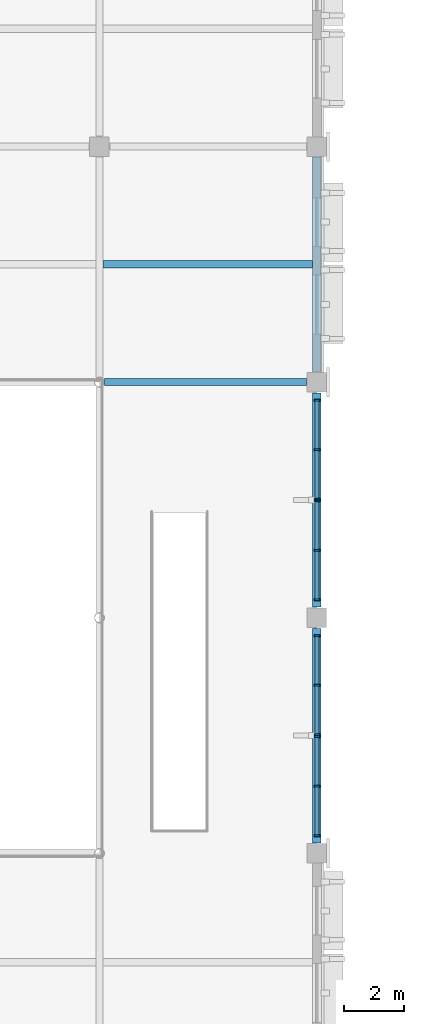
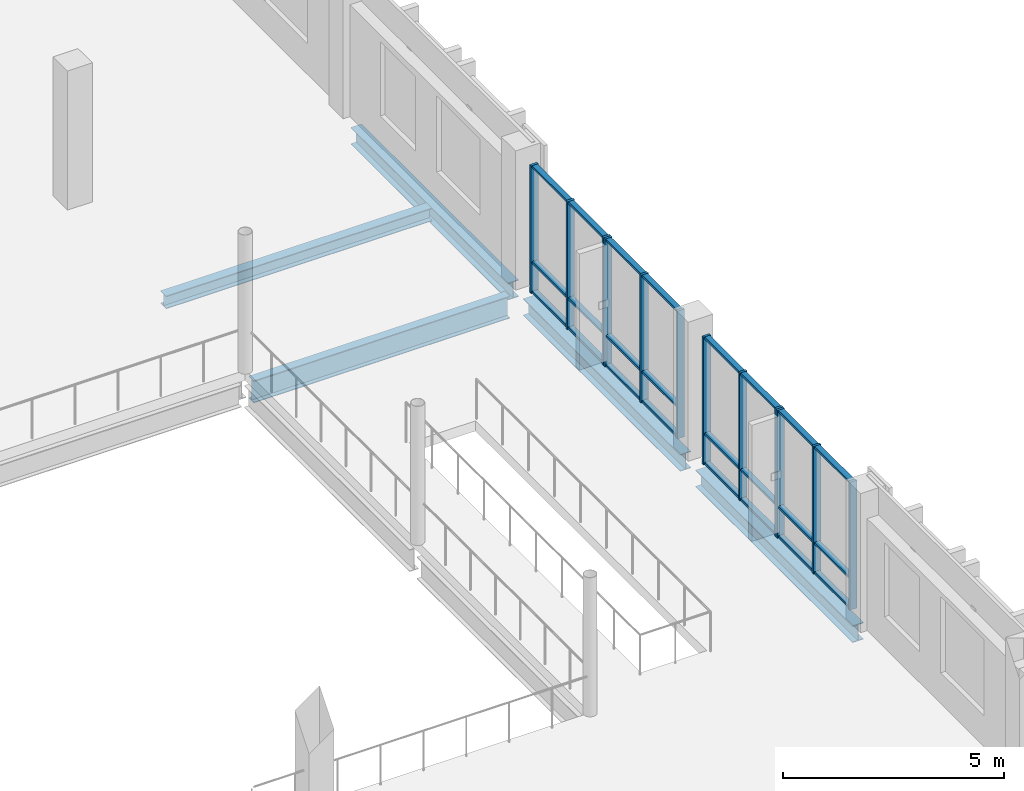
# One storey, part 17 of 85: 36 members, 5 beams, 4 elements without a shape of their own.
"""IFC4 building model written with IfcOpenShell, lengths in metres."""

import ifcopenshell
import ifcopenshell.guid

model = None  # the IFC model being written
_history = None  # IfcOwnerHistory: only IFC2X3 demands one
_inside = {}  # id of a spatial element -> (the spatial element, [elements in it])
_under = {}  # id of a project, library or spatial element -> (it, [spatial elements below it])
_declared = {}  # id of a project -> (the project, [libraries it declares])
_typed = {}  # id of a type object -> (the type object, [elements of that type])
_made_of = {}  # id of a material, layer set ... -> (it, [elements and type objects made of it])


def new_model(schema):
    """Start an empty IFC model of exactly this schema.

    Asked for "IFC4X3", IfcOpenShell would pick the latest addendum, in which some entities
    have other attributes; the version numbers below select the first issue.
    IFC2X3 requires an IfcOwnerHistory on every rooted entity: one is made here for all.
    """
    global model, _history
    if schema == "IFC4X3":
        model = ifcopenshell.file(schema_version=(4, 3, 0, 0))
    else:
        model = ifcopenshell.file(schema=schema)
    _inside.clear()
    _under.clear()
    _declared.clear()
    _typed.clear()
    _made_of.clear()
    _history = None
    if model.schema == "IFC2X3":
        org = make("IfcOrganization", Name="unknown")
        user = make(
            "IfcPersonAndOrganization",
            ThePerson=make("IfcPerson", FamilyName="unknown"),
            TheOrganization=org,
        )
        app = make(
            "IfcApplication",
            ApplicationDeveloper=org,
            Version="unknown",
            ApplicationFullName="unknown",
            ApplicationIdentifier="unknown",
        )
        _history = make(
            "IfcOwnerHistory",
            OwningUser=user,
            OwningApplication=app,
            ChangeAction="ADDED",
            CreationDate=0,
        )
    return model


def make(cls, **values):
    """One entity of the class cls with the attributes given. An attribute that is None is left unset."""
    return model.create_entity(
        cls, **{name: value for name, value in values.items() if value is not None}
    )


def rooted(cls, **values):
    """An entity with a GlobalId (a new one), such as an element, a storey or a relation."""
    return make(cls, GlobalId=ifcopenshell.guid.new(), OwnerHistory=_history, **values)


def si_unit(unit_type, name, prefix=None):
    """IfcSIUnit, for example si_unit("LENGTHUNIT", "METRE", prefix="MILLI")."""
    return make("IfcSIUnit", UnitType=unit_type, Prefix=prefix, Name=name)


def assignment(units):
    """IfcUnitAssignment: the units of a project."""
    return None if units is None else make("IfcUnitAssignment", Units=units)


def point(xyz):
    """IfcCartesianPoint."""
    return None if xyz is None else make("IfcCartesianPoint", Coordinates=xyz)


def direction(xyz):
    """IfcDirection."""
    return None if xyz is None else make("IfcDirection", DirectionRatios=xyz)


def frame(location, z_axis=None, x_axis=None):
    """IfcAxis2Placement3D, a coordinate frame: its origin and axes. An axis left out is left unset."""
    return make(
        "IfcAxis2Placement3D",
        Location=point(location),
        Axis=direction(z_axis),
        RefDirection=direction(x_axis),
    )


def frame_2d(location, x_axis=None):
    """IfcAxis2Placement2D, a coordinate frame in the plane: its origin and x axis."""
    return make(
        "IfcAxis2Placement2D", Location=point(location), RefDirection=direction(x_axis)
    )


def origin():
    """The frame at (0, 0, 0) with its axes left unset."""
    return frame((0.0, 0.0, 0.0))


def origin_2d():
    """The frame at (0, 0) in the plane with its x axis left unset."""
    return frame_2d((0.0, 0.0))


def place(relative_to, where):
    """IfcLocalPlacement: puts the frame where relative to a parent placement (None: the world)."""
    return make(
        "IfcLocalPlacement", PlacementRelTo=relative_to, RelativePlacement=where
    )


def context(
    kind, dimensions, precision=None, world=None, true_north=None, identifier=None
):
    """IfcGeometricRepresentationContext, for example the 3D "Model" context."""
    return make(
        "IfcGeometricRepresentationContext",
        ContextIdentifier=identifier,
        ContextType=kind,
        CoordinateSpaceDimension=dimensions,
        Precision=precision,
        WorldCoordinateSystem=world,
        TrueNorth=true_north,
    )


def subcontext(parent, identifier, kind, view, scale=None):
    """IfcGeometricRepresentationSubContext, for example "Body" below "Model"."""
    return make(
        "IfcGeometricRepresentationSubContext",
        ContextIdentifier=identifier,
        ContextType=kind,
        ParentContext=parent,
        TargetScale=scale,
        TargetView=view,
    )


def project(units=None, contexts=None):
    """IfcProject with its units and contexts."""
    return rooted(
        "IfcProject",
        Name="project",
        RepresentationContexts=contexts,
        UnitsInContext=assignment(units),
    )


def spatial(cls, under=None, at=None, **own):
    """A site, building, storey or space (cls), placed at a placement, below another one or the project."""
    s = rooted(cls, ObjectPlacement=at, **own)
    if under is not None:
        _under.setdefault(under.id(), (under, []))[1].append(s)
    return s


def profile(cls, at=None, kind="AREA", **sizes):
    """A parametric profile (cls). Its sizes go by their IFC names, for example OverallWidth=200.0."""
    return make(cls, ProfileType=kind, Position=at, **sizes)


def rectangle(**sizes):
    """IfcRectangleProfileDef."""
    return profile("IfcRectangleProfileDef", **sizes)


def i_section(**sizes):
    """IfcIShapeProfileDef."""
    return profile("IfcIShapeProfileDef", **sizes)


def extrude(swept, where, along, depth):
    """IfcExtrudedAreaSolid: the profile swept, set in the frame where, extruded along a direction by depth."""
    return make(
        "IfcExtrudedAreaSolid",
        SweptArea=swept,
        Position=where,
        ExtrudedDirection=direction(along),
        Depth=depth,
    )


def shape(context_of_items, identifier, shape_type, items):
    """IfcShapeRepresentation: the items that make up one representation, for example the "Body"."""
    return make(
        "IfcShapeRepresentation",
        ContextOfItems=context_of_items,
        RepresentationIdentifier=identifier,
        RepresentationType=shape_type,
        Items=items,
    )


def material(Name=None, Category=None):
    """IfcMaterial."""
    return make("IfcMaterial", Name=Name, Category=Category)


def material_profile(
    of_material, cross_section, Name=None, Category=None, Priority=None
):
    """IfcMaterialProfile: a cross section and its material."""
    return make(
        "IfcMaterialProfile",
        Name=Name,
        Material=of_material,
        Profile=cross_section,
        Priority=Priority,
        Category=Category,
    )


def profile_set(profiles, Name=None, composite=None):
    """IfcMaterialProfileSet."""
    return make(
        "IfcMaterialProfileSet",
        Name=Name,
        MaterialProfiles=profiles,
        CompositeProfile=composite,
    )


def made_of(thing, what):
    """Note that an element or type object is made of a material, layer set ...; save() writes the relation."""
    if what is not None:
        _made_of.setdefault(what.id(), (what, []))[1].append(thing)
    return thing


def type_object(cls, material=None, **own):
    """A type object (cls), such as IfcWallType, which elements share."""
    return made_of(rooted(cls, **own), material)


def element(
    cls,
    number,
    at=None,
    inside=None,
    cuts=None,
    type_object=None,
    material=None,
    context=None,
    identifier="Body",
    shape_type=None,
    held_by="IfcProductDefinitionShape",
    body=None,
    shapes=None,
    **own,
):
    """One element of the class cls, such as IfcWall. Its Tag is "e" and its number.

    at: its placement. inside: the storey or other place that contains it. cuts: it is an
    opening in that element (IfcRelVoidsElement). A single representation is given by context,
    identifier, shape_type and body (its items); several are given by shapes. held_by: the class
    of the entity that holds the representations. save() writes the other relations.
    """
    e = rooted(cls, Tag="e%d" % number, ObjectPlacement=at, **own)
    if body is not None:
        shapes = [shape(context, identifier, shape_type, body)]
    if shapes is not None:
        e.Representation = make(held_by, Representations=shapes)
    if inside is not None:
        _inside.setdefault(inside.id(), (inside, []))[1].append(e)
    if cuts is not None:
        rooted(
            "IfcRelVoidsElement", RelatingBuildingElement=cuts, RelatedOpeningElement=e
        )
    if type_object is not None:
        _typed.setdefault(type_object.id(), (type_object, []))[1].append(e)
    return made_of(e, material)


def aggregate(whole, parts):
    """IfcRelAggregates: a whole, such as a stair, and the parts it consists of."""
    return rooted("IfcRelAggregates", RelatingObject=whole, RelatedObjects=parts)


def save(model, path):
    """Write the relations noted so far, then the file.

    IfcRelAggregates (storeys below a building ...), IfcRelContainedInSpatialStructure (elements
    in a storey), IfcRelDefinesByType, IfcRelAssociatesMaterial and IfcRelDeclares: one each for
    every whole, place, type object, material and project.
    """
    for whole, parts in _under.values():
        aggregate(whole, parts)
    for where, things in _inside.values():
        rooted(
            "IfcRelContainedInSpatialStructure",
            RelatedElements=things,
            RelatingStructure=where,
        )
    for kind, things in _typed.values():
        rooted("IfcRelDefinesByType", RelatedObjects=things, RelatingType=kind)
    for what, things in _made_of.values():
        rooted("IfcRelAssociatesMaterial", RelatedObjects=things, RelatingMaterial=what)
    for by, libraries in _declared.values():
        rooted("IfcRelDeclares", RelatingContext=by, RelatedDefinitions=libraries)
    model.write(path)


model = new_model("IFC4")

# Units and contexts
model_context = context("Model", 3, precision=1e-05, world=origin(), true_north=direction((0.0, 1.0)))
body_context = subcontext(model_context, "Body", "Model", "MODEL_VIEW")
ifc_project = project(units=[si_unit("LENGTHUNIT", "METRE"), si_unit("AREAUNIT", "SQUARE_METRE"), si_unit("VOLUMEUNIT", "CUBIC_METRE"), si_unit("PLANEANGLEUNIT", "RADIAN"), si_unit("MASSUNIT", "GRAM", prefix="KILO")], contexts=[model_context])

# Site, building, storey
site_placement = place(None, origin())
site = spatial("IfcSite", under=ifc_project, at=site_placement, CompositionType="ELEMENT")
building_placement = place(site_placement, origin())
building = spatial("IfcBuilding", under=site, at=building_placement, Name="Vervanel Yard Central Library", CompositionType="ELEMENT")
storey_placement = place(building_placement, frame((0.0, 0.0, 5.10009765625)))
storey = spatial("IfcBuildingStorey", under=building, at=storey_placement, Name="L01", CompositionType="ELEMENT", Elevation=5.10009765625)

# Curtain wall, members
ifc_material_1 = material(Name="Thermally broken anodized aluminium 6063-T6", Category="aluminium")
curtain_wall_type = type_object("IfcCurtainWallType", Name="Atrium Courtyard Curtain Wall", PredefinedType="NOTDEFINED", material=ifc_material_1)
curtain_wall_1_placement = place(storey_placement, origin())
curtain_wall_1 = element("IfcCurtainWall", 1, at=curtain_wall_1_placement, inside=storey, type_object=curtain_wall_type, Name="L01 Atrium Courtyard Curtain Wall CWR-L01-028", PredefinedType="NOTDEFINED")
ifc_material_profile_1 = material_profile(ifc_material_1, rectangle(XDim=0.06494140625, YDim=0.18994140625, at=origin_2d()), Name="ALU 65x190", Category="aluminium")
ifc_profile_set_1 = profile_set([ifc_material_profile_1], Name="Thermally broken anodized aluminium 6063-T6")
member_type_1 = type_object("IfcMemberType", Name="Curtain Wall Primary Mullion 65x190", PredefinedType="MULLION", material=ifc_profile_set_1)
member_1_placement = place(storey_placement, frame((36.0, 43.79248046875, 0.0), z_axis=(0.0, 0.0, 1.0), x_axis=(0.0, 1.0, 0.0)))
member_1 = element("IfcMember", 2, at=member_1_placement, type_object=member_type_1, Name="CWR-L01-028 Mullion 1", PredefinedType="MULLION", context=body_context, shape_type="SweptSolid", body=[
    extrude(rectangle(XDim=0.06494140625, YDim=0.18994140625, at=origin_2d()), origin(), (0.0, 0.0, 1.0), 3.52978515625),
])
member_2_placement = place(storey_placement, frame((36.0, 45.429931640625, 0.0), z_axis=(0.0, 0.0, 1.0), x_axis=(0.0, 1.0, 0.0)))
member_2 = element("IfcMember", 3, at=member_2_placement, type_object=member_type_1, Name="CWR-L01-028 Mullion 2", PredefinedType="MULLION", context=body_context, shape_type="SweptSolid", body=[
    extrude(rectangle(XDim=0.06494140625, YDim=0.18994140625, at=origin_2d()), origin(), (0.0, 0.0, 1.0), 3.52978515625),
])
member_3_placement = place(storey_placement, frame((36.0, 47.0673828125, 0.0), z_axis=(0.0, 0.0, 1.0), x_axis=(0.0, 1.0, 0.0)))
member_3 = element("IfcMember", 4, at=member_3_placement, type_object=member_type_1, Name="CWR-L01-028 Mullion 3", PredefinedType="MULLION", context=body_context, shape_type="SweptSolid", body=[
    extrude(rectangle(XDim=0.06494140625, YDim=0.18994140625, at=origin_2d()), origin(), (0.0, 0.0, 1.0), 3.52978515625),
])

curtain_wall_2_placement = place(storey_placement, origin())
curtain_wall_2 = element("IfcCurtainWall", 5, at=curtain_wall_2_placement, inside=storey, type_object=curtain_wall_type, Name="L01 Atrium Courtyard Curtain Wall CWR-L01-029", PredefinedType="NOTDEFINED")
member_4_placement = place(storey_placement, frame((36.0, 47.132568359375, 0.0), z_axis=(0.0, 0.0, 1.0), x_axis=(0.0, 1.0, 0.0)))
member_4 = element("IfcMember", 6, at=member_4_placement, type_object=member_type_1, Name="CWR-L01-029 Mullion 1", PredefinedType="MULLION", context=body_context, shape_type="SweptSolid", body=[
    extrude(rectangle(XDim=0.06494140625, YDim=0.18994140625, at=origin_2d()), origin(), (0.0, 0.0, 1.0), 3.52978515625),
])
member_5_placement = place(storey_placement, frame((36.0, 48.77001953125, 0.0), z_axis=(0.0, 0.0, 1.0), x_axis=(0.0, 1.0, 0.0)))
member_5 = element("IfcMember", 7, at=member_5_placement, type_object=member_type_1, Name="CWR-L01-029 Mullion 2", PredefinedType="MULLION", context=body_context, shape_type="SweptSolid", body=[
    extrude(rectangle(XDim=0.06494140625, YDim=0.18994140625, at=origin_2d()), origin(), (0.0, 0.0, 1.0), 3.52978515625),
])
member_6_placement = place(storey_placement, frame((36.0, 50.407470703125, 0.0), z_axis=(0.0, 0.0, 1.0), x_axis=(0.0, 1.0, 0.0)))
member_6 = element("IfcMember", 8, at=member_6_placement, type_object=member_type_1, Name="CWR-L01-029 Mullion 3", PredefinedType="MULLION", context=body_context, shape_type="SweptSolid", body=[
    extrude(rectangle(XDim=0.06494140625, YDim=0.18994140625, at=origin_2d()), origin(), (0.0, 0.0, 1.0), 3.52978515625),
])

curtain_wall_3_placement = place(storey_placement, origin())
curtain_wall_3 = element("IfcCurtainWall", 9, at=curtain_wall_3_placement, inside=storey, type_object=curtain_wall_type, Name="L01 Atrium Courtyard Curtain Wall CWR-L01-030", PredefinedType="NOTDEFINED")
member_7_placement = place(storey_placement, frame((36.0, 51.592529296875, 0.0), z_axis=(0.0, 0.0, 1.0), x_axis=(0.0, 1.0, 0.0)))
member_7 = element("IfcMember", 10, at=member_7_placement, type_object=member_type_1, Name="CWR-L01-030 Mullion 1", PredefinedType="MULLION", context=body_context, shape_type="SweptSolid", body=[
    extrude(rectangle(XDim=0.06494140625, YDim=0.18994140625, at=origin_2d()), origin(), (0.0, 0.0, 1.0), 3.52978515625),
])
member_8_placement = place(storey_placement, frame((36.0, 53.22998046875, 0.0), z_axis=(0.0, 0.0, 1.0), x_axis=(0.0, 1.0, 0.0)))
member_8 = element("IfcMember", 11, at=member_8_placement, type_object=member_type_1, Name="CWR-L01-030 Mullion 2", PredefinedType="MULLION", context=body_context, shape_type="SweptSolid", body=[
    extrude(rectangle(XDim=0.06494140625, YDim=0.18994140625, at=origin_2d()), origin(), (0.0, 0.0, 1.0), 3.52978515625),
])
member_9_placement = place(storey_placement, frame((36.0, 54.867431640625, 0.0), z_axis=(0.0, 0.0, 1.0), x_axis=(0.0, 1.0, 0.0)))
member_9 = element("IfcMember", 12, at=member_9_placement, type_object=member_type_1, Name="CWR-L01-030 Mullion 3", PredefinedType="MULLION", context=body_context, shape_type="SweptSolid", body=[
    extrude(rectangle(XDim=0.06494140625, YDim=0.18994140625, at=origin_2d()), origin(), (0.0, 0.0, 1.0), 3.52978515625),
])

curtain_wall_4_placement = place(storey_placement, origin())
curtain_wall_4 = element("IfcCurtainWall", 13, at=curtain_wall_4_placement, inside=storey, type_object=curtain_wall_type, Name="L01 Atrium Courtyard Curtain Wall CWR-L01-031", PredefinedType="NOTDEFINED")
member_10_placement = place(storey_placement, frame((36.0, 54.9326171875, 0.0), z_axis=(0.0, 0.0, 1.0), x_axis=(0.0, 1.0, 0.0)))
member_10 = element("IfcMember", 14, at=member_10_placement, type_object=member_type_1, Name="CWR-L01-031 Mullion 1", PredefinedType="MULLION", context=body_context, shape_type="SweptSolid", body=[
    extrude(rectangle(XDim=0.06494140625, YDim=0.18994140625, at=origin_2d()), origin(), (0.0, 0.0, 1.0), 3.52978515625),
])
member_11_placement = place(storey_placement, frame((36.0, 56.570068359375, 0.0), z_axis=(0.0, 0.0, 1.0), x_axis=(0.0, 1.0, 0.0)))
member_11 = element("IfcMember", 15, at=member_11_placement, type_object=member_type_1, Name="CWR-L01-031 Mullion 2", PredefinedType="MULLION", context=body_context, shape_type="SweptSolid", body=[
    extrude(rectangle(XDim=0.06494140625, YDim=0.18994140625, at=origin_2d()), origin(), (0.0, 0.0, 1.0), 3.52978515625),
])
member_12_placement = place(storey_placement, frame((36.0, 58.20751953125, 0.0), z_axis=(0.0, 0.0, 1.0), x_axis=(0.0, 1.0, 0.0)))
member_12 = element("IfcMember", 16, at=member_12_placement, type_object=member_type_1, Name="CWR-L01-031 Mullion 3", PredefinedType="MULLION", context=body_context, shape_type="SweptSolid", body=[
    extrude(rectangle(XDim=0.06494140625, YDim=0.18994140625, at=origin_2d()), origin(), (0.0, 0.0, 1.0), 3.52978515625),
])

# Member
ifc_material_profile_2 = material_profile(ifc_material_1, rectangle(XDim=0.06494140625, YDim=0.139892578125, at=origin_2d()), Name="ALU 65x140", Category="aluminium")
ifc_profile_set_2 = profile_set([ifc_material_profile_2], Name="Thermally broken anodized aluminium 6063-T6")
member_type_2 = type_object("IfcMemberType", Name="Curtain Wall Transom 65x140", PredefinedType="NOTDEFINED", material=ifc_profile_set_2)
member_13_placement = place(storey_placement, frame((36.0, 43.824951171875, 0.032470703125), z_axis=(0.0, 1.0, 0.0), x_axis=(0.0, 0.0, 1.0)))
member_13 = element("IfcMember", 17, at=member_13_placement, type_object=member_type_2, Name="CWR-L01-028 Transom B1-T1", ObjectType="TRANSOM", PredefinedType="USERDEFINED", context=body_context, shape_type="SweptSolid", body=[
    extrude(rectangle(XDim=0.06494140625, YDim=0.139892578125, at=origin_2d()), origin(), (0.0, 0.0, 1.0), 1.572509765625),
])

member_14_placement = place(storey_placement, frame((36.0, 43.824951171875, 0.849853515625), z_axis=(0.0, 1.0, 0.0), x_axis=(0.0, 0.0, 1.0)))
member_14 = element("IfcMember", 18, at=member_14_placement, type_object=member_type_2, Name="CWR-L01-028 Transom B1-T2", ObjectType="TRANSOM", PredefinedType="USERDEFINED", context=body_context, shape_type="SweptSolid", body=[
    extrude(rectangle(XDim=0.06494140625, YDim=0.139892578125, at=origin_2d()), origin(), (0.0, 0.0, 1.0), 1.572509765625),
])

member_15_placement = place(storey_placement, frame((36.0, 43.824951171875, 3.497314453125), z_axis=(0.0, 1.0, 0.0), x_axis=(0.0, 0.0, 1.0)))
member_15 = element("IfcMember", 19, at=member_15_placement, type_object=member_type_2, Name="CWR-L01-028 Transom B1-T3", ObjectType="TRANSOM", PredefinedType="USERDEFINED", context=body_context, shape_type="SweptSolid", body=[
    extrude(rectangle(XDim=0.06494140625, YDim=0.139892578125, at=origin_2d()), origin(), (0.0, 0.0, 1.0), 1.572509765625),
])

member_16_placement = place(storey_placement, frame((36.0, 45.46240234375, 0.032470703125), z_axis=(0.0, 1.0, 0.0), x_axis=(0.0, 0.0, 1.0)))
member_16 = element("IfcMember", 20, at=member_16_placement, type_object=member_type_2, Name="CWR-L01-028 Transom B2-T1", ObjectType="TRANSOM", PredefinedType="USERDEFINED", context=body_context, shape_type="SweptSolid", body=[
    extrude(rectangle(XDim=0.06494140625, YDim=0.139892578125, at=origin_2d()), origin(), (0.0, 0.0, 1.0), 1.572509765625),
])

member_17_placement = place(storey_placement, frame((36.0, 45.46240234375, 0.849853515625), z_axis=(0.0, 1.0, 0.0), x_axis=(0.0, 0.0, 1.0)))
member_17 = element("IfcMember", 21, at=member_17_placement, type_object=member_type_2, Name="CWR-L01-028 Transom B2-T2", ObjectType="TRANSOM", PredefinedType="USERDEFINED", context=body_context, shape_type="SweptSolid", body=[
    extrude(rectangle(XDim=0.06494140625, YDim=0.139892578125, at=origin_2d()), origin(), (0.0, 0.0, 1.0), 1.572509765625),
])

member_18_placement = place(storey_placement, frame((36.0, 45.46240234375, 3.497314453125), z_axis=(0.0, 1.0, 0.0), x_axis=(0.0, 0.0, 1.0)))
member_18 = element("IfcMember", 22, at=member_18_placement, type_object=member_type_2, Name="CWR-L01-028 Transom B2-T3", ObjectType="TRANSOM", PredefinedType="USERDEFINED", context=body_context, shape_type="SweptSolid", body=[
    extrude(rectangle(XDim=0.06494140625, YDim=0.139892578125, at=origin_2d()), origin(), (0.0, 0.0, 1.0), 1.572509765625),
])

aggregate(curtain_wall_1, [member_1, member_2, member_3, member_13, member_14, member_15, member_16, member_17, member_18])

member_19_placement = place(storey_placement, frame((36.0, 47.1650390625, 0.032470703125), z_axis=(0.0, 1.0, 0.0), x_axis=(0.0, 0.0, 1.0)))
member_19 = element("IfcMember", 23, at=member_19_placement, type_object=member_type_2, Name="CWR-L01-029 Transom B1-T1", ObjectType="TRANSOM", PredefinedType="USERDEFINED", context=body_context, shape_type="SweptSolid", body=[
    extrude(rectangle(XDim=0.06494140625, YDim=0.139892578125, at=origin_2d()), origin(), (0.0, 0.0, 1.0), 1.572509765625),
])

member_20_placement = place(storey_placement, frame((36.0, 47.1650390625, 0.849853515625), z_axis=(0.0, 1.0, 0.0), x_axis=(0.0, 0.0, 1.0)))
member_20 = element("IfcMember", 24, at=member_20_placement, type_object=member_type_2, Name="CWR-L01-029 Transom B1-T2", ObjectType="TRANSOM", PredefinedType="USERDEFINED", context=body_context, shape_type="SweptSolid", body=[
    extrude(rectangle(XDim=0.06494140625, YDim=0.139892578125, at=origin_2d()), origin(), (0.0, 0.0, 1.0), 1.572509765625),
])

member_21_placement = place(storey_placement, frame((36.0, 47.1650390625, 3.497314453125), z_axis=(0.0, 1.0, 0.0), x_axis=(0.0, 0.0, 1.0)))
member_21 = element("IfcMember", 25, at=member_21_placement, type_object=member_type_2, Name="CWR-L01-029 Transom B1-T3", ObjectType="TRANSOM", PredefinedType="USERDEFINED", context=body_context, shape_type="SweptSolid", body=[
    extrude(rectangle(XDim=0.06494140625, YDim=0.139892578125, at=origin_2d()), origin(), (0.0, 0.0, 1.0), 1.572509765625),
])

member_22_placement = place(storey_placement, frame((36.0, 48.802490234375, 0.032470703125), z_axis=(0.0, 1.0, 0.0), x_axis=(0.0, 0.0, 1.0)))
member_22 = element("IfcMember", 26, at=member_22_placement, type_object=member_type_2, Name="CWR-L01-029 Transom B2-T1", ObjectType="TRANSOM", PredefinedType="USERDEFINED", context=body_context, shape_type="SweptSolid", body=[
    extrude(rectangle(XDim=0.06494140625, YDim=0.139892578125, at=origin_2d()), origin(), (0.0, 0.0, 1.0), 1.572509765625),
])

member_23_placement = place(storey_placement, frame((36.0, 48.802490234375, 0.849853515625), z_axis=(0.0, 1.0, 0.0), x_axis=(0.0, 0.0, 1.0)))
member_23 = element("IfcMember", 27, at=member_23_placement, type_object=member_type_2, Name="CWR-L01-029 Transom B2-T2", ObjectType="TRANSOM", PredefinedType="USERDEFINED", context=body_context, shape_type="SweptSolid", body=[
    extrude(rectangle(XDim=0.06494140625, YDim=0.139892578125, at=origin_2d()), origin(), (0.0, 0.0, 1.0), 1.572509765625),
])

member_24_placement = place(storey_placement, frame((36.0, 48.802490234375, 3.497314453125), z_axis=(0.0, 1.0, 0.0), x_axis=(0.0, 0.0, 1.0)))
member_24 = element("IfcMember", 28, at=member_24_placement, type_object=member_type_2, Name="CWR-L01-029 Transom B2-T3", ObjectType="TRANSOM", PredefinedType="USERDEFINED", context=body_context, shape_type="SweptSolid", body=[
    extrude(rectangle(XDim=0.06494140625, YDim=0.139892578125, at=origin_2d()), origin(), (0.0, 0.0, 1.0), 1.572509765625),
])

aggregate(curtain_wall_2, [member_4, member_5, member_6, member_19, member_20, member_21, member_22, member_23, member_24])

member_25_placement = place(storey_placement, frame((36.0, 51.625, 0.032470703125), z_axis=(0.0, 1.0, 0.0), x_axis=(0.0, 0.0, 1.0)))
member_25 = element("IfcMember", 29, at=member_25_placement, type_object=member_type_2, Name="CWR-L01-030 Transom B1-T1", ObjectType="TRANSOM", PredefinedType="USERDEFINED", context=body_context, shape_type="SweptSolid", body=[
    extrude(rectangle(XDim=0.06494140625, YDim=0.139892578125, at=origin_2d()), origin(), (0.0, 0.0, 1.0), 1.572509765625),
])

member_26_placement = place(storey_placement, frame((36.0, 51.625, 0.849853515625), z_axis=(0.0, 1.0, 0.0), x_axis=(0.0, 0.0, 1.0)))
member_26 = element("IfcMember", 30, at=member_26_placement, type_object=member_type_2, Name="CWR-L01-030 Transom B1-T2", ObjectType="TRANSOM", PredefinedType="USERDEFINED", context=body_context, shape_type="SweptSolid", body=[
    extrude(rectangle(XDim=0.06494140625, YDim=0.139892578125, at=origin_2d()), origin(), (0.0, 0.0, 1.0), 1.572509765625),
])

member_27_placement = place(storey_placement, frame((36.0, 51.625, 3.497314453125), z_axis=(0.0, 1.0, 0.0), x_axis=(0.0, 0.0, 1.0)))
member_27 = element("IfcMember", 31, at=member_27_placement, type_object=member_type_2, Name="CWR-L01-030 Transom B1-T3", ObjectType="TRANSOM", PredefinedType="USERDEFINED", context=body_context, shape_type="SweptSolid", body=[
    extrude(rectangle(XDim=0.06494140625, YDim=0.139892578125, at=origin_2d()), origin(), (0.0, 0.0, 1.0), 1.572509765625),
])

member_28_placement = place(storey_placement, frame((36.0, 53.262451171875, 0.032470703125), z_axis=(0.0, 1.0, 0.0), x_axis=(0.0, 0.0, 1.0)))
member_28 = element("IfcMember", 32, at=member_28_placement, type_object=member_type_2, Name="CWR-L01-030 Transom B2-T1", ObjectType="TRANSOM", PredefinedType="USERDEFINED", context=body_context, shape_type="SweptSolid", body=[
    extrude(rectangle(XDim=0.06494140625, YDim=0.139892578125, at=origin_2d()), origin(), (0.0, 0.0, 1.0), 1.572509765625),
])

member_29_placement = place(storey_placement, frame((36.0, 53.262451171875, 0.849853515625), z_axis=(0.0, 1.0, 0.0), x_axis=(0.0, 0.0, 1.0)))
member_29 = element("IfcMember", 33, at=member_29_placement, type_object=member_type_2, Name="CWR-L01-030 Transom B2-T2", ObjectType="TRANSOM", PredefinedType="USERDEFINED", context=body_context, shape_type="SweptSolid", body=[
    extrude(rectangle(XDim=0.06494140625, YDim=0.139892578125, at=origin_2d()), origin(), (0.0, 0.0, 1.0), 1.572509765625),
])

member_30_placement = place(storey_placement, frame((36.0, 53.262451171875, 3.497314453125), z_axis=(0.0, 1.0, 0.0), x_axis=(0.0, 0.0, 1.0)))
member_30 = element("IfcMember", 34, at=member_30_placement, type_object=member_type_2, Name="CWR-L01-030 Transom B2-T3", ObjectType="TRANSOM", PredefinedType="USERDEFINED", context=body_context, shape_type="SweptSolid", body=[
    extrude(rectangle(XDim=0.06494140625, YDim=0.139892578125, at=origin_2d()), origin(), (0.0, 0.0, 1.0), 1.572509765625),
])

aggregate(curtain_wall_3, [member_7, member_8, member_9, member_25, member_26, member_27, member_28, member_29, member_30])

member_31_placement = place(storey_placement, frame((36.0, 54.965087890625, 0.032470703125), z_axis=(0.0, 1.0, 0.0), x_axis=(0.0, 0.0, 1.0)))
member_31 = element("IfcMember", 35, at=member_31_placement, type_object=member_type_2, Name="CWR-L01-031 Transom B1-T1", ObjectType="TRANSOM", PredefinedType="USERDEFINED", context=body_context, shape_type="SweptSolid", body=[
    extrude(rectangle(XDim=0.06494140625, YDim=0.139892578125, at=origin_2d()), origin(), (0.0, 0.0, 1.0), 1.572509765625),
])

member_32_placement = place(storey_placement, frame((36.0, 54.965087890625, 0.849853515625), z_axis=(0.0, 1.0, 0.0), x_axis=(0.0, 0.0, 1.0)))
member_32 = element("IfcMember", 36, at=member_32_placement, type_object=member_type_2, Name="CWR-L01-031 Transom B1-T2", ObjectType="TRANSOM", PredefinedType="USERDEFINED", context=body_context, shape_type="SweptSolid", body=[
    extrude(rectangle(XDim=0.06494140625, YDim=0.139892578125, at=origin_2d()), origin(), (0.0, 0.0, 1.0), 1.572509765625),
])

member_33_placement = place(storey_placement, frame((36.0, 54.965087890625, 3.497314453125), z_axis=(0.0, 1.0, 0.0), x_axis=(0.0, 0.0, 1.0)))
member_33 = element("IfcMember", 37, at=member_33_placement, type_object=member_type_2, Name="CWR-L01-031 Transom B1-T3", ObjectType="TRANSOM", PredefinedType="USERDEFINED", context=body_context, shape_type="SweptSolid", body=[
    extrude(rectangle(XDim=0.06494140625, YDim=0.139892578125, at=origin_2d()), origin(), (0.0, 0.0, 1.0), 1.572509765625),
])

member_34_placement = place(storey_placement, frame((36.0, 56.6025390625, 0.032470703125), z_axis=(0.0, 1.0, 0.0), x_axis=(0.0, 0.0, 1.0)))
member_34 = element("IfcMember", 38, at=member_34_placement, type_object=member_type_2, Name="CWR-L01-031 Transom B2-T1", ObjectType="TRANSOM", PredefinedType="USERDEFINED", context=body_context, shape_type="SweptSolid", body=[
    extrude(rectangle(XDim=0.06494140625, YDim=0.139892578125, at=origin_2d()), origin(), (0.0, 0.0, 1.0), 1.572509765625),
])

member_35_placement = place(storey_placement, frame((36.0, 56.6025390625, 0.849853515625), z_axis=(0.0, 1.0, 0.0), x_axis=(0.0, 0.0, 1.0)))
member_35 = element("IfcMember", 39, at=member_35_placement, type_object=member_type_2, Name="CWR-L01-031 Transom B2-T2", ObjectType="TRANSOM", PredefinedType="USERDEFINED", context=body_context, shape_type="SweptSolid", body=[
    extrude(rectangle(XDim=0.06494140625, YDim=0.139892578125, at=origin_2d()), origin(), (0.0, 0.0, 1.0), 1.572509765625),
])

member_36_placement = place(storey_placement, frame((36.0, 56.6025390625, 3.497314453125), z_axis=(0.0, 1.0, 0.0), x_axis=(0.0, 0.0, 1.0)))
member_36 = element("IfcMember", 40, at=member_36_placement, type_object=member_type_2, Name="CWR-L01-031 Transom B2-T3", ObjectType="TRANSOM", PredefinedType="USERDEFINED", context=body_context, shape_type="SweptSolid", body=[
    extrude(rectangle(XDim=0.06494140625, YDim=0.139892578125, at=origin_2d()), origin(), (0.0, 0.0, 1.0), 1.572509765625),
])

aggregate(curtain_wall_4, [member_10, member_11, member_12, member_31, member_32, member_33, member_34, member_35, member_36])

# Beams
ifc_material_2 = material(Name="Steel ASTM A992 Grade 50", Category="steel")
ifc_material_profile_3 = material_profile(ifc_material_2, i_section(OverallWidth=0.25390625, OverallDepth=0.355712890625, WebThickness=0.010498046875, FlangeThickness=0.018310546875, at=origin_2d()), Name="W14X68", Category="steel")
ifc_profile_set_3 = profile_set([ifc_material_profile_3], Name="Steel ASTM A992 Grade 50")
beam_type_1 = type_object("IfcBeamType", Name="Steel Atrium Edge Joist W14X68", PredefinedType="JOIST", material=ifc_profile_set_3)
beam_1_placement = place(storey_placement, frame((28.91455078125, 62.699951171875, -0.462890625), z_axis=(1.0, 0.0, 0.0), x_axis=(0.0, 1.0, 0.0)))
element("IfcBeam", 41, at=beam_1_placement, inside=storey, type_object=beam_type_1, Name="L01 Floor Joist SJ-06 Y=62.70 X=28.8-36.0", PredefinedType="JOIST", context=body_context, shape_type="SweptSolid", body=[
    extrude(i_section(OverallWidth=0.25390625, OverallDepth=0.355712890625, WebThickness=0.010498046875, FlangeThickness=0.018310546875, at=origin_2d()), origin(), (0.0, 0.0, 1.0), 6.9443359375),
])
ifc_material_profile_4 = material_profile(ifc_material_2, i_section(OverallWidth=0.22900390625, OverallDepth=0.612060546875, WebThickness=0.011962890625, FlangeThickness=0.01953125, at=origin_2d()), Name="W24X84", Category="steel")
ifc_profile_set_4 = profile_set([ifc_material_profile_4], Name="Steel ASTM A992 Grade 50")
beam_type_2 = type_object("IfcBeamType", Name="Steel Primary Girder W24X84", PredefinedType="BEAM", material=ifc_profile_set_4)
beam_2_placement = place(storey_placement, frame((28.9619140625, 58.800048828125, -0.591064453125), z_axis=(1.0, 0.0, 0.0), x_axis=(0.0, 1.0, 0.0)))
element("IfcBeam", 42, at=beam_2_placement, inside=storey, type_object=beam_type_2, Name="L01 Girder SB-01 Y=58.8 X=28.8-36.0", PredefinedType="BEAM", context=body_context, shape_type="SweptSolid", body=[
    extrude(i_section(OverallWidth=0.22900390625, OverallDepth=0.612060546875, WebThickness=0.011962890625, FlangeThickness=0.01953125, at=origin_2d()), origin(), (0.0, 0.0, 1.0), 6.68798828125),
])
ifc_material_profile_5 = material_profile(ifc_material_2, i_section(OverallWidth=0.281982421875, OverallDepth=0.46728515625, WebThickness=0.01220703125, FlangeThickness=0.01953125, at=origin_2d()), Name="W18X86", Category="steel")
ifc_profile_set_5 = profile_set([ifc_material_profile_5], Name="Steel ASTM A992 Grade 50")
beam_type_3 = type_object("IfcBeamType", Name="Steel Spandrel Beam W18X86", PredefinedType="SPANDREL", material=ifc_profile_set_5)
for number, where, z_axis, x_axis, name in (
    (43, (36.0, 43.550048828125, -0.518798828125), (0.0, 1.0, 0.0), (-1.0, 0.0, 0.0), "L01 Girder SP-02 X=36.0 Y=43.2-51.0"),
    (44, (36.0, 51.35009765625, -0.518798828125), (0.0, 1.0, 0.0), (-1.0, 0.0, 0.0), "L01 Girder SP-02 X=36.0 Y=51.0-58.8"),
):
    element("IfcBeam", number, at=place(storey_placement, frame(where, z_axis=z_axis, x_axis=x_axis)), inside=storey, type_object=beam_type_3, Name=name, PredefinedType="SPANDREL", context=body_context, shape_type="SweptSolid", body=[
        extrude(i_section(OverallWidth=0.281982421875, OverallDepth=0.46728515625, WebThickness=0.01220703125, FlangeThickness=0.01953125, at=origin_2d()), origin(), (0.0, 0.0, 1.0), 7.099853515625),
    ])
beam_3_placement = place(storey_placement, frame((36.0, 59.14990234375, -0.518798828125), z_axis=(0.0, 1.0, 0.0), x_axis=(-1.0, 0.0, 0.0)))
element("IfcBeam", 45, at=beam_3_placement, inside=storey, type_object=beam_type_3, Name="L01 Girder SP-02 X=36.0 Y=58.8-66.6", PredefinedType="SPANDREL", context=body_context, shape_type="SweptSolid", body=[
    extrude(i_section(OverallWidth=0.281982421875, OverallDepth=0.46728515625, WebThickness=0.01220703125, FlangeThickness=0.01953125, at=origin_2d()), origin(), (0.0, 0.0, 1.0), 7.10009765625),
])

save(model, "model.ifc")
